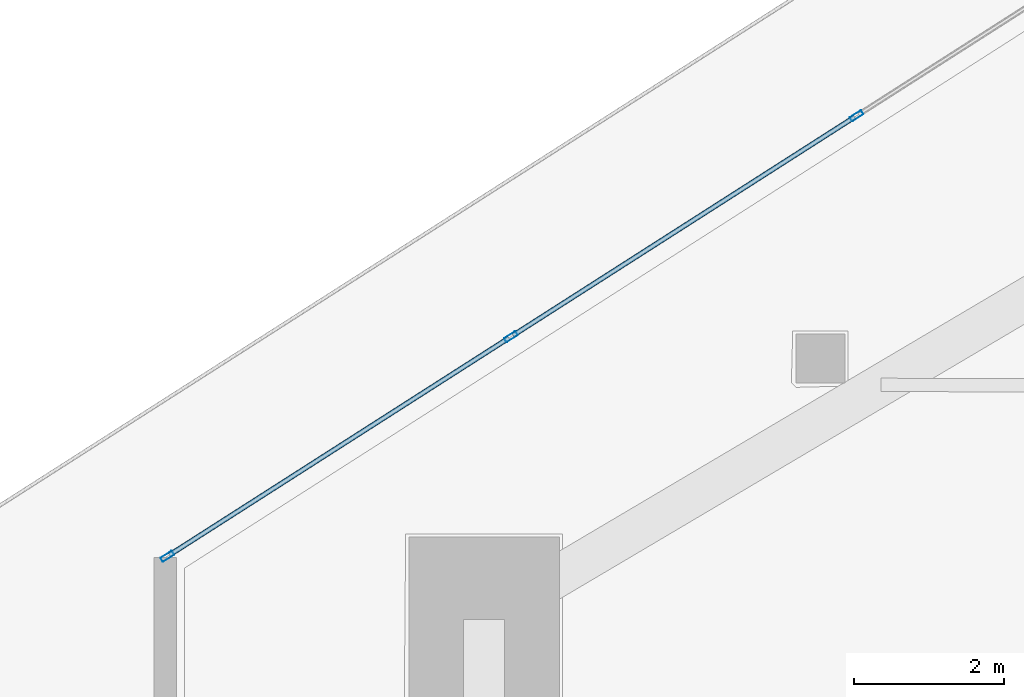
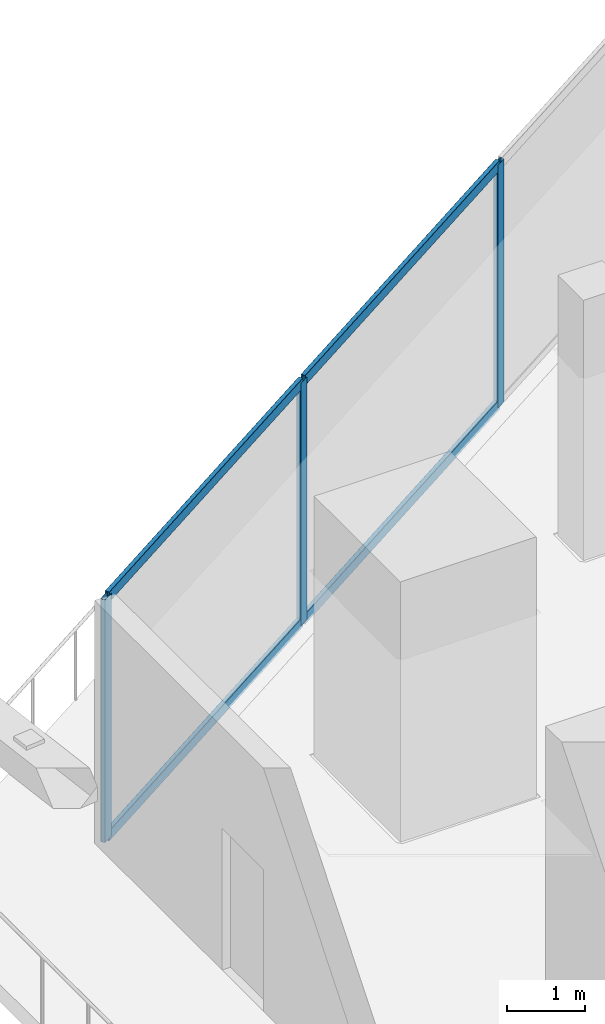
# One storey, part 13 of 38: 7 members, 1 element without a shape of its own.
"""IFC4 building model written with IfcOpenShell, lengths in metres."""

from ifc_helpers import new_model, si_unit, direction, frame, origin, origin_2d, place, context, subcontext, project, spatial, hollow_rectangle, extrude, material, layer, layer_set, material_profile, profile_set, type_object, element, aggregate, save


model = new_model("IFC4")

# Units and contexts
model_context = context("Model", 3, precision=1e-05, world=origin(), true_north=direction((0.0, 1.0)))
body_context = subcontext(model_context, "Body", "Model", "MODEL_VIEW")
ifc_project = project(units=[si_unit("LENGTHUNIT", "METRE"), si_unit("AREAUNIT", "SQUARE_METRE"), si_unit("VOLUMEUNIT", "CUBIC_METRE"), si_unit("PLANEANGLEUNIT", "RADIAN"), si_unit("MASSUNIT", "GRAM", prefix="KILO")], contexts=[model_context])

# Site, building, storey
site_placement = place(None, origin())
site = spatial("IfcSite", under=ifc_project, at=site_placement, CompositionType="ELEMENT")
building_placement = place(site_placement, origin())
building = spatial("IfcBuilding", under=site, at=building_placement, Name="Qorvath Tower", CompositionType="ELEMENT")
storey_placement = place(building_placement, frame((0.0, 0.0, 134.10009765625)))
storey = spatial("IfcBuildingStorey", under=building, at=storey_placement, Name="L30", CompositionType="ELEMENT", Elevation=134.10009765625)

# Curtain wall, members
ifc_material_1 = material(Name="Anodised aluminium and triple low-E glass", Category="aluminium")
ifc_layer = layer(ifc_material_1, 0.179931640625)
ifc_layer_set = layer_set([ifc_layer], Name="CW-SYS-3")
curtain_wall_type = type_object("IfcCurtainWallType", Name="CW-SYS-3", PredefinedType="NOTDEFINED", material=ifc_layer_set)
curtain_wall_placement = place(storey_placement, origin())
curtain_wall = element("IfcCurtainWall", 1, at=curtain_wall_placement, inside=storey, type_object=curtain_wall_type, Name="Curtain Wall CW-3 CW-T-L30-16.1", PredefinedType="NOTDEFINED")
ifc_material_2 = material(Name="Anodised aluminium 6063-T6", Category="aluminium")
ifc_material_profile_1 = material_profile(ifc_material_2, hollow_rectangle(XDim=0.06494140625, YDim=0.179931640625, WallThickness=0.00341796875, InnerFilletRadius=0.00341796875, OuterFilletRadius=0.007080078125, at=origin_2d()), Name="CWM 180x65")
ifc_profile_set_1 = profile_set([ifc_material_profile_1], Name="Anodised aluminium 6063-T6")
member_type_1 = type_object("IfcMemberType", Name="CWM-180", PredefinedType="MULLION", material=ifc_profile_set_1)
member_1_placement = place(storey_placement, frame((-48.09619140625, 9.649658203125, 0.0), z_axis=(0.0, 0.0, 1.0), x_axis=(0.538534399095, -0.842603525385, 0.0)))
member_1 = element("IfcMember", 2, at=member_1_placement, type_object=member_type_1, Name="CW-3 mullion 8", PredefinedType="MULLION", context=body_context, shape_type="SweptSolid", body=[
    extrude(hollow_rectangle(XDim=0.06494140625, YDim=0.179931640625, WallThickness=0.00341796875, InnerFilletRadius=0.00341796875, OuterFilletRadius=0.007080078125, at=origin_2d()), origin(), (0.0, 0.0, 1.0), 3.77978515625),
])
member_2_placement = place(storey_placement, frame((-52.69140625, 6.712646484375, 0.0), z_axis=(0.0, 0.0, 1.0), x_axis=(0.538534399095, -0.842603525385, 0.0)))
member_2 = element("IfcMember", 3, at=member_2_placement, type_object=member_type_1, Name="CW-3 mullion 9", PredefinedType="MULLION", context=body_context, shape_type="SweptSolid", body=[
    extrude(hollow_rectangle(XDim=0.06494140625, YDim=0.179931640625, WallThickness=0.00341796875, InnerFilletRadius=0.00341796875, OuterFilletRadius=0.007080078125, at=origin_2d()), origin(), (0.0, 0.0, 1.0), 3.77978515625),
])
member_3_placement = place(storey_placement, frame((-57.259033203125, 3.79345703125, 0.0), z_axis=(0.0, 0.0, 1.0), x_axis=(0.538534399095, -0.842603525385, 0.0)))
member_3 = element("IfcMember", 4, at=member_3_placement, type_object=member_type_1, Name="CW-3 mullion 10", PredefinedType="MULLION", context=body_context, shape_type="SweptSolid", body=[
    extrude(hollow_rectangle(XDim=0.06494140625, YDim=0.179931640625, WallThickness=0.00341796875, InnerFilletRadius=0.00341796875, OuterFilletRadius=0.007080078125, at=origin_2d()), origin(), (0.0, 0.0, 1.0), 3.77978515625),
])
ifc_material_3 = material(Name="Anodised aluminium 6063-T6", Category="aluminium")
ifc_material_profile_2 = material_profile(ifc_material_3, hollow_rectangle(XDim=0.06494140625, YDim=0.159912109375, WallThickness=0.00341796875, InnerFilletRadius=0.00341796875, OuterFilletRadius=0.007080078125, at=origin_2d()), Name="CWT 160x65")
ifc_profile_set_2 = profile_set([ifc_material_profile_2], Name="Anodised aluminium 6063-T6")
member_type_2 = type_object("IfcMemberType", Name="CWT-160", PredefinedType="USERDEFINED", material=ifc_profile_set_2)
member_4_placement = place(storey_placement, frame((-48.123779296875, 9.632080078125, 0.032470703125), z_axis=(-0.842602030071, -0.538536738691, 0.0), x_axis=(0.538536738691, -0.842602030071, 0.0)))
member_4 = element("IfcMember", 5, at=member_4_placement, type_object=member_type_2, Name="CW-3 transom 8.1", ObjectType="TRANSOM", PredefinedType="USERDEFINED", context=body_context, shape_type="SweptSolid", body=[
    extrude(hollow_rectangle(XDim=0.06494140625, YDim=0.159912109375, WallThickness=0.00341796875, InnerFilletRadius=0.00341796875, OuterFilletRadius=0.007080078125, at=origin_2d()), origin(), (0.0, 0.0, 1.0), 5.388427734375),
])
member_5_placement = place(storey_placement, frame((-48.123779296875, 9.632080078125, 3.747314453125), z_axis=(-0.842602030071, -0.538536738691, 0.0), x_axis=(0.538536738691, -0.842602030071, 0.0)))
member_5 = element("IfcMember", 6, at=member_5_placement, type_object=member_type_2, Name="CW-3 transom 8.2", ObjectType="TRANSOM", PredefinedType="USERDEFINED", context=body_context, shape_type="SweptSolid", body=[
    extrude(hollow_rectangle(XDim=0.06494140625, YDim=0.159912109375, WallThickness=0.00341796875, InnerFilletRadius=0.00341796875, OuterFilletRadius=0.007080078125, at=origin_2d()), origin(), (0.0, 0.0, 1.0), 5.388427734375),
])
member_6_placement = place(storey_placement, frame((-52.71875, 6.6953125, 0.032470703125), z_axis=(-0.842589967804, -0.538555611015, 0.0), x_axis=(0.538555611015, -0.842589967804, 0.0)))
member_6 = element("IfcMember", 7, at=member_6_placement, type_object=member_type_2, Name="CW-3 transom 9.1", ObjectType="TRANSOM", PredefinedType="USERDEFINED", context=body_context, shape_type="SweptSolid", body=[
    extrude(hollow_rectangle(XDim=0.06494140625, YDim=0.159912109375, WallThickness=0.00341796875, InnerFilletRadius=0.00341796875, OuterFilletRadius=0.007080078125, at=origin_2d()), origin(), (0.0, 0.0, 1.0), 5.35595703125),
])
member_7_placement = place(storey_placement, frame((-52.71875, 6.6953125, 3.747314453125), z_axis=(-0.842589967804, -0.538555611015, 0.0), x_axis=(0.538555611015, -0.842589967804, 0.0)))
member_7 = element("IfcMember", 8, at=member_7_placement, type_object=member_type_2, Name="CW-3 transom 9.2", ObjectType="TRANSOM", PredefinedType="USERDEFINED", context=body_context, shape_type="SweptSolid", body=[
    extrude(hollow_rectangle(XDim=0.06494140625, YDim=0.159912109375, WallThickness=0.00341796875, InnerFilletRadius=0.00341796875, OuterFilletRadius=0.007080078125, at=origin_2d()), origin(), (0.0, 0.0, 1.0), 5.35595703125),
])
aggregate(curtain_wall, [member_1, member_2, member_3, member_4, member_5, member_6, member_7])

save(model, "model.ifc")
